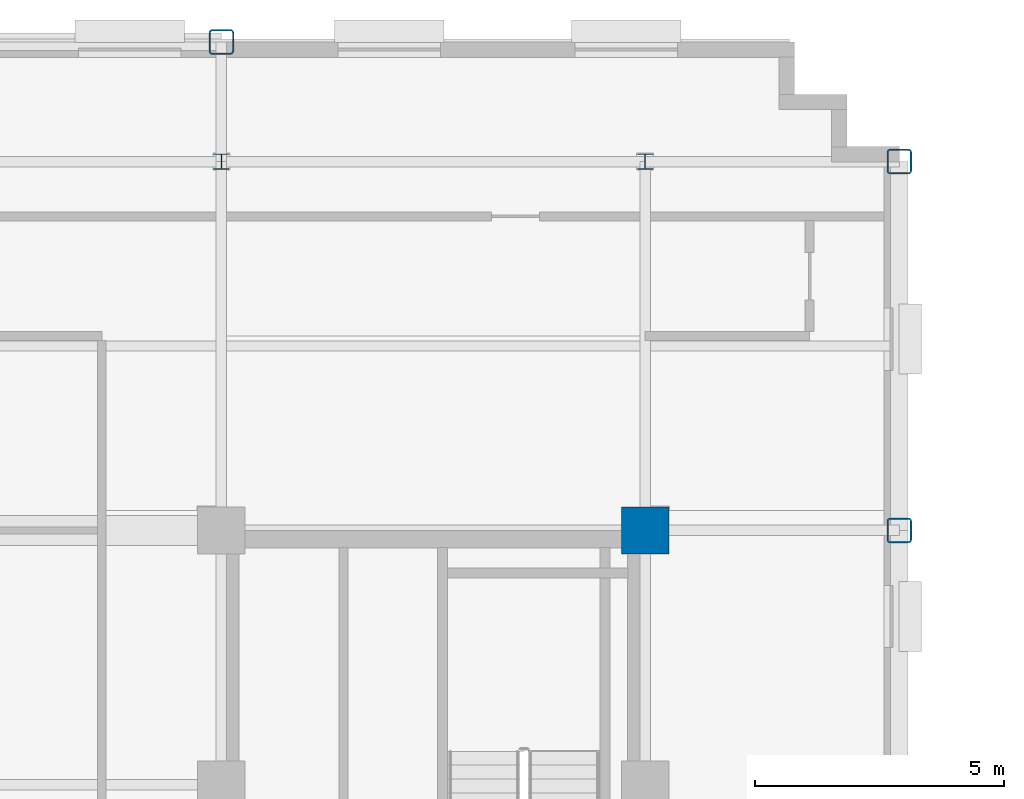
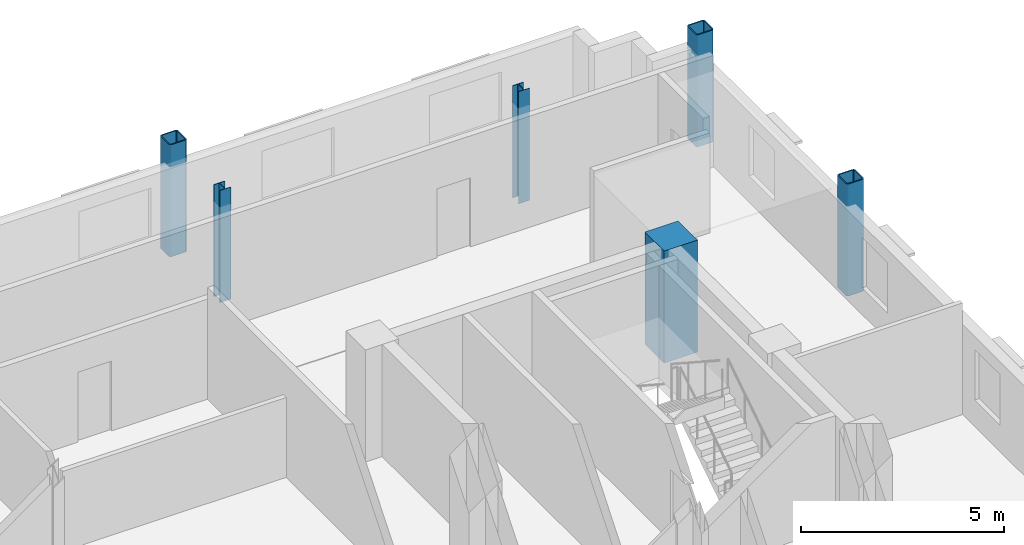
# One storey, part 4 of 15: 6 columns.
"""IFC4 building model written with IfcOpenShell, lengths in metres."""

from ifc_helpers import new_model, si_unit, direction, frame, origin, origin_2d, place, context, subcontext, project, spatial, rectangle, hollow_rectangle, i_section, extrude, material, material_profile, profile_set, type_object, element, save


model = new_model("IFC4")

# Units and contexts
model_context = context("Model", 3, precision=1e-05, world=origin(), true_north=direction((0.0, 1.0)))
body_context = subcontext(model_context, "Body", "Model", "MODEL_VIEW")
ifc_project = project(units=[si_unit("LENGTHUNIT", "METRE"), si_unit("AREAUNIT", "SQUARE_METRE"), si_unit("VOLUMEUNIT", "CUBIC_METRE"), si_unit("PLANEANGLEUNIT", "RADIAN"), si_unit("MASSUNIT", "GRAM", prefix="KILO")], contexts=[model_context])

# Site, building, storey
site_placement = place(None, origin())
site = spatial("IfcSite", under=ifc_project, at=site_placement, CompositionType="ELEMENT")
building_placement = place(site_placement, origin())
building = spatial("IfcBuilding", under=site, at=building_placement, Name="Nuvemarco Arch Tower", CompositionType="ELEMENT")
storey_placement = place(building_placement, frame((0.0, 0.0, 194.550048828125)))
storey = spatial("IfcBuildingStorey", under=building, at=storey_placement, Name="L51", CompositionType="ELEMENT", Elevation=194.550048828125)

# Columns
ifc_material_1 = material(Name="Concrete C50/60", Category="concrete")
ifc_material_profile_1 = material_profile(ifc_material_1, rectangle(XDim=0.949951171875, YDim=0.949951171875, at=origin_2d()), Name="RC-COL-950x950")
ifc_profile_set_1 = profile_set([ifc_material_profile_1], Name="Concrete C50/60")
column_type_1 = type_object("IfcColumnType", Name="COL-CORE-950", PredefinedType="COLUMN", material=ifc_profile_set_1)
column_placement = place(storey_placement, frame((17.5, 9.60009765625, 0.0), z_axis=(0.0, 0.0, 1.0), x_axis=(1.0, 0.0, 0.0)))
element("IfcColumn", 1, at=column_placement, inside=storey, type_object=column_type_1, Name="L51 column CC_+17.5_+9.6", PredefinedType="COLUMN", context=body_context, shape_type="SweptSolid", body=[
    extrude(rectangle(XDim=0.949951171875, YDim=0.949951171875, at=origin_2d()), origin(), (0.0, 0.0, 1.0), 3.369873046875),
])
ifc_material_2 = material(Name="Steel S355", Category="steel")
ifc_material_profile_2 = material_profile(ifc_material_2, hollow_rectangle(XDim=0.5, YDim=0.5, WallThickness=0.031982421875, InnerFilletRadius=0.031982421875, OuterFilletRadius=0.06396484375, at=origin_2d()), Name="SHS500x500x32")
ifc_profile_set_2 = profile_set([ifc_material_profile_2], Name="Steel S355")
column_type_2 = type_object("IfcColumnType", Name="COL-EXO-500", PredefinedType="COLUMN", material=ifc_profile_set_2)
for number, where, z_axis, x_axis, name in (
    (2, (22.60009765625, 9.60009765625, 0.0), (0.0, 0.0, 1.0), (1.0, 0.0, 0.0), "L51 column CX_+22.6_+9.6"),
    (3, (22.60009765625, 17.0, 0.0), (0.0, 0.0, 1.0), (1.0, 0.0, 0.0), "L51 column CX_+22.6_+17.0"),
    (4, (9.0, 19.39990234375, 0.0), (0.0, 0.0, 1.0), (1.0, 0.0, 0.0), "L51 column CY_+9.0_+19.4"),
):
    element("IfcColumn", number, at=place(storey_placement, frame(where, z_axis=z_axis, x_axis=x_axis)), inside=storey, type_object=column_type_2, Name=name, PredefinedType="COLUMN", context=body_context, shape_type="SweptSolid", body=[
        extrude(hollow_rectangle(XDim=0.5, YDim=0.5, WallThickness=0.031982421875, InnerFilletRadius=0.031982421875, OuterFilletRadius=0.06396484375, at=origin_2d()), origin(), (0.0, 0.0, 1.0), 3.369873046875),
    ])
ifc_material_profile_3 = material_profile(ifc_material_2, i_section(OverallWidth=0.31005859375, OverallDepth=0.31005859375, WebThickness=0.015380859375, FlangeThickness=0.015380859375, FilletRadius=0.014892578125, at=origin_2d()), Name="HP310x110")
ifc_profile_set_3 = profile_set([ifc_material_profile_3], Name="Steel S355")
column_type_3 = type_object("IfcColumnType", Name="COL-STL-HP310", PredefinedType="COLUMN", material=ifc_profile_set_3)
for number, where, z_axis, x_axis, name in (
    (5, (9.0, 17.0, 0.0), (0.0, 0.0, 1.0), (1.0, 0.0, 0.0), "L51 column CI_+9.0_+17.0"),
    (6, (17.5, 17.0, 0.0), (0.0, 0.0, 1.0), (1.0, 0.0, 0.0), "L51 column CI_+17.5_+17.0"),
):
    element("IfcColumn", number, at=place(storey_placement, frame(where, z_axis=z_axis, x_axis=x_axis)), inside=storey, type_object=column_type_3, Name=name, PredefinedType="COLUMN", context=body_context, shape_type="SweptSolid", body=[
        extrude(i_section(OverallWidth=0.31005859375, OverallDepth=0.31005859375, WebThickness=0.015380859375, FlangeThickness=0.015380859375, FilletRadius=0.014892578125, at=origin_2d()), origin(), (0.0, 0.0, 1.0), 3.369873046875),
    ])

save(model, "model.ifc")
